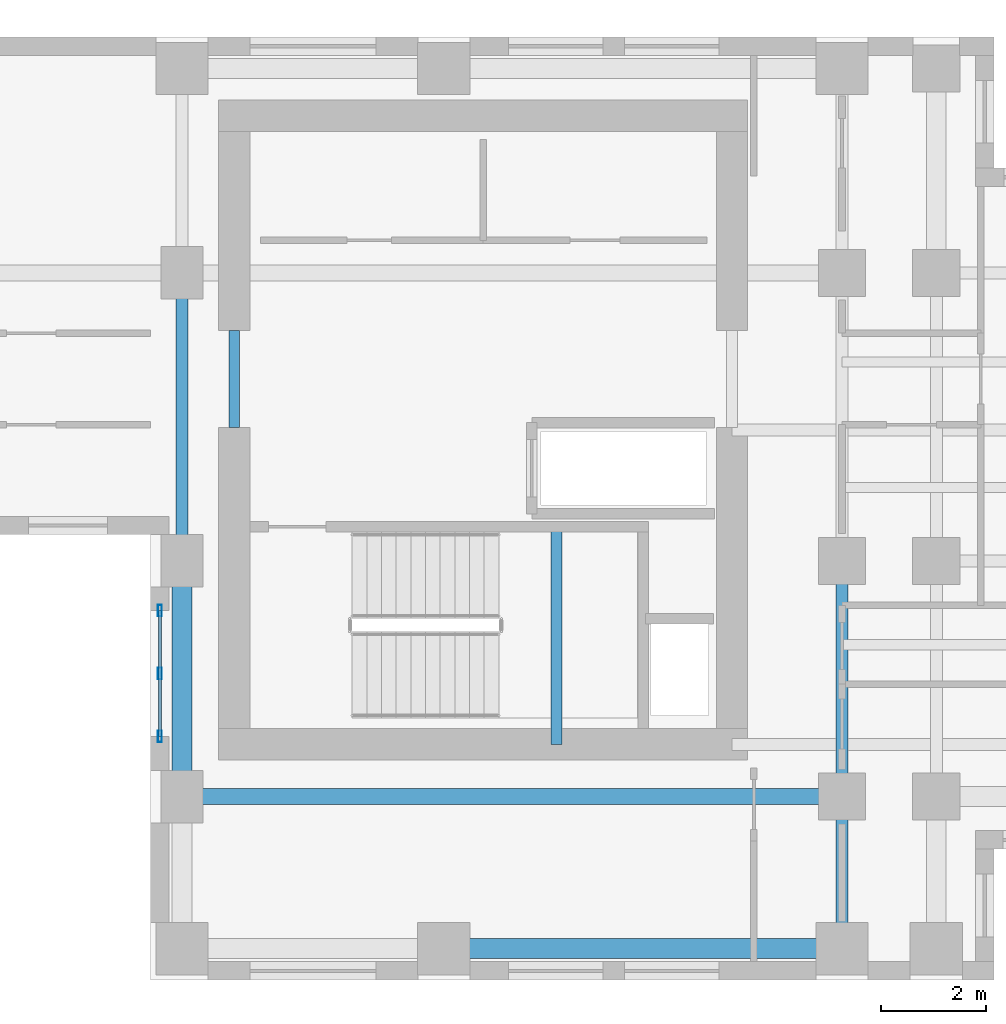
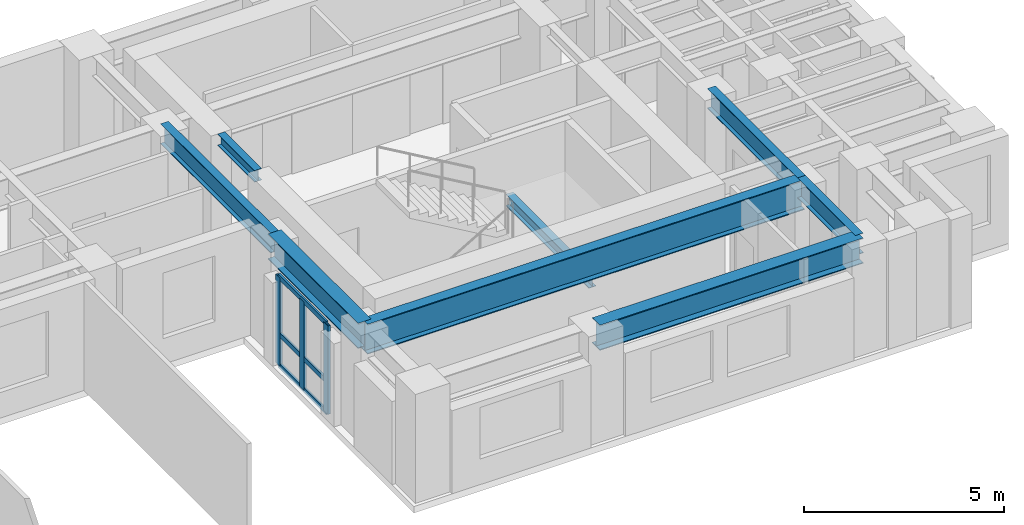
# One storey, part 2 of 12: 8 beams, 6 members, 1 element without a shape of its own.
"""IFC4 building model written with IfcOpenShell, lengths in metres."""

from ifc_helpers import new_model, si_unit, direction, frame, origin, origin_2d, place, context, subcontext, project, spatial, hollow_rectangle, i_section, extrude, source, transform, mapped, material, layer, layer_set, material_profile, profile_set, type_object, element, aggregate, save


model = new_model("IFC4")

# Units and contexts
model_context = context("Model", 3, precision=1e-05, world=origin(), true_north=direction((0.0, 1.0)))
body_context = subcontext(model_context, "Body", "Model", "MODEL_VIEW")
ifc_project = project(units=[si_unit("LENGTHUNIT", "METRE"), si_unit("AREAUNIT", "SQUARE_METRE"), si_unit("VOLUMEUNIT", "CUBIC_METRE"), si_unit("PLANEANGLEUNIT", "RADIAN"), si_unit("MASSUNIT", "GRAM", prefix="KILO")], contexts=[model_context])

# Site, building, storey
site_placement = place(None, origin())
site = spatial("IfcSite", under=ifc_project, at=site_placement, CompositionType="ELEMENT")
building_placement = place(site_placement, origin())
building = spatial("IfcBuilding", under=site, at=building_placement, Name="Kharzan Plaza Tower", CompositionType="ELEMENT")
storey_placement = place(building_placement, frame((0.0, 0.0, 204.300048828125)))
storey = spatial("IfcBuildingStorey", under=building, at=storey_placement, Name="L55", CompositionType="ELEMENT", Elevation=204.300048828125)

# Beams
ifc_material_1 = material(Name="Steel S355", Category="steel")
ifc_material_profile_1 = material_profile(ifc_material_1, i_section(OverallWidth=0.205078125, OverallDepth=0.35400390625, WebThickness=0.009521484375, FlangeThickness=0.016845703125, at=origin_2d()), Name="W360x79")
ifc_profile_set_1 = profile_set([ifc_material_profile_1], Name="Steel S355")
beam_type_1 = type_object("IfcBeamType", Name="BM-LNT360", PredefinedType="LINTEL", material=ifc_profile_set_1)
shared_shape_1 = source(origin(), body_context, "Body", "SweptSolid", [
    extrude(i_section(OverallWidth=0.205078125, OverallDepth=0.35400390625, WebThickness=0.009521484375, FlangeThickness=0.016845703125, at=origin_2d()), origin(), (0.0, 0.0, 1.0), 1.849853515625),
])
beam_1_placement = place(storey_placement, frame((36.0, 10.550048828125, 3.14306640625), z_axis=(0.0, 1.0, 0.0), x_axis=(-1.0, 0.0, 0.0)))
element("IfcBeam", 1, at=beam_1_placement, inside=storey, type_object=beam_type_1, Name="L55 CORE-B coupling lintel LN1-WW", PredefinedType="LINTEL", context=body_context, shape_type="MappedRepresentation", body=[
    mapped(shared_shape_1, transform((0.0, 0.0, 0.0), x_axis=(1.0, 0.0, 0.0), y_axis=(0.0, 1.0, 0.0), z_axis=(0.0, 0.0, 1.0))),
])
shared_shape_2 = source(origin(), body_context, "Body", "SweptSolid", [
    extrude(i_section(OverallWidth=0.205078125, OverallDepth=0.35400390625, WebThickness=0.009521484375, FlangeThickness=0.016845703125, at=origin_2d()), origin(), (0.0, 0.0, 1.0), 4.155029296875),
])
beam_2_placement = place(storey_placement, frame((42.14990234375, 4.5, 1.4228515625), z_axis=(0.0, 1.0, 0.0), x_axis=(-1.0, 0.0, 0.0)))
element("IfcBeam", 2, at=beam_2_placement, inside=storey, type_object=beam_type_1, Name="L55 Stair ST-3 Half-Landing Beam", PredefinedType="LINTEL", context=body_context, shape_type="MappedRepresentation", body=[
    mapped(shared_shape_2, transform((0.0, 0.0, 0.0), x_axis=(1.0, 0.0, 0.0), y_axis=(0.0, 1.0, 0.0), z_axis=(0.0, 0.0, 1.0))),
])
ifc_material_profile_2 = material_profile(ifc_material_1, i_section(OverallWidth=0.304931640625, OverallDepth=0.9189453125, WebThickness=0.017333984375, FlangeThickness=0.02783203125, at=origin_2d()), Name="W920x253")
ifc_profile_set_2 = profile_set([ifc_material_profile_2], Name="Steel S355")
beam_type_2 = type_object("IfcBeamType", Name="BM-FG920B", PredefinedType="BEAM", material=ifc_profile_set_2)
shared_shape_3 = source(origin(), body_context, "Body", "SweptSolid", [
    extrude(i_section(OverallWidth=0.304931640625, OverallDepth=0.9189453125, WebThickness=0.017333984375, FlangeThickness=0.02783203125, at=origin_2d()), origin(), (0.0, 0.0, 1.0), 12.60009765625),
])
beam_3_placement = place(storey_placement, frame((35.0, 3.5, 2.8603515625), z_axis=(1.0, 0.0, 0.0), x_axis=(0.0, 1.0, 0.0)))
element("IfcBeam", 3, at=beam_3_placement, inside=storey, type_object=beam_type_2, Name="L55 Primary Floor Girder", PredefinedType="BEAM", context=body_context, shape_type="MappedRepresentation", body=[
    mapped(shared_shape_3, transform((0.0, 0.0, 0.0), x_axis=(1.0, 0.0, 0.0), y_axis=(0.0, 1.0, 0.0), z_axis=(0.0, 0.0, 1.0))),
])

# Curtain wall, members
ifc_material_2 = material(Name="Unitised Bronze-Anodized Aluminium and Low-E Glass", Category="aluminium")
ifc_layer = layer(ifc_material_2, 0.199951171875)
ifc_layer_set = layer_set([ifc_layer], Name="Unitised Bronze-Anodized Aluminium and Low-E Glass")
curtain_wall_type = type_object("IfcCurtainWallType", Name="CW-SLOT-3", PredefinedType="NOTDEFINED", material=ifc_layer_set)
curtain_wall_placement = place(storey_placement, origin())
curtain_wall = element("IfcCurtainWall", 4, at=curtain_wall_placement, inside=storey, type_object=curtain_wall_type, Name="L55 East Slot Recessed Spine Curtain Wall", PredefinedType="NOTDEFINED")
ifc_material_3 = material(Name="Anodized Bronze Aluminium", Category="aluminium")
ifc_material_profile_3 = material_profile(ifc_material_3, hollow_rectangle(XDim=0.074951171875, YDim=0.219970703125, WallThickness=0.00390625, at=origin_2d()), Name="ALU-M220x75x4")
ifc_profile_set_3 = profile_set([ifc_material_profile_3], Name="Anodized Bronze Aluminium")
member_type_1 = type_object("IfcMemberType", Name="MEM-CW-MUL200", PredefinedType="MULLION", material=ifc_profile_set_3)
shared_shape_4 = source(origin(), body_context, "Body", "SweptSolid", [
    extrude(hollow_rectangle(XDim=0.074951171875, YDim=0.219970703125, WallThickness=0.00390625, at=origin_2d()), origin(), (0.0, 0.0, 1.0), 2.699951171875),
])
member_1_placement = place(storey_placement, frame((34.580078125, 4.64990234375, 0.0), z_axis=(0.0, 0.0, 1.0), x_axis=(1.0, 0.0, 0.0)))
member_1 = element("IfcMember", 5, at=member_1_placement, type_object=member_type_1, Name="L55 Curtain-Wall Mullion 00", PredefinedType="MULLION", context=body_context, shape_type="MappedRepresentation", body=[
    mapped(shared_shape_4, transform((0.0, 0.0, 0.0), x_axis=(1.0, 0.0, 0.0), y_axis=(0.0, 1.0, 0.0), z_axis=(0.0, 0.0, 1.0))),
])
member_2_placement = place(storey_placement, frame((34.580078125, 5.85009765625, 0.0), z_axis=(0.0, 0.0, 1.0), x_axis=(1.0, 0.0, 0.0)))
member_2 = element("IfcMember", 6, at=member_2_placement, type_object=member_type_1, Name="L55 Curtain-Wall Mullion 01", PredefinedType="MULLION", context=body_context, shape_type="MappedRepresentation", body=[
    mapped(shared_shape_4, transform((0.0, 0.0, 0.0), x_axis=(1.0, 0.0, 0.0), y_axis=(0.0, 1.0, 0.0), z_axis=(0.0, 0.0, 1.0))),
])
member_3_placement = place(storey_placement, frame((34.580078125, 7.050048828125, 0.0), z_axis=(0.0, 0.0, 1.0), x_axis=(1.0, 0.0, 0.0)))
member_3 = element("IfcMember", 7, at=member_3_placement, type_object=member_type_1, Name="L55 Curtain-Wall Mullion 02", PredefinedType="MULLION", context=body_context, shape_type="MappedRepresentation", body=[
    mapped(shared_shape_4, transform((0.0, 0.0, 0.0), x_axis=(1.0, 0.0, 0.0), y_axis=(0.0, 1.0, 0.0), z_axis=(0.0, 0.0, 1.0))),
])
ifc_material_profile_4 = material_profile(ifc_material_3, hollow_rectangle(XDim=0.06005859375, YDim=0.14990234375, WallThickness=0.00341796875, at=origin_2d()), Name="ALU-T150x60x3.5")
ifc_profile_set_4 = profile_set([ifc_material_profile_4], Name="Anodized Bronze Aluminium")
member_type_2 = type_object("IfcMemberType", Name="MEM-CW-TRN150", PredefinedType="USERDEFINED", material=ifc_profile_set_4)
shared_shape_5 = source(origin(), body_context, "Body", "SweptSolid", [
    extrude(hollow_rectangle(XDim=0.06005859375, YDim=0.14990234375, WallThickness=0.00341796875, at=origin_2d()), origin(), (0.0, 0.0, 1.0), 2.400146484375),
])
member_4_placement = place(storey_placement, frame((34.580078125, 4.64990234375, 0.0), z_axis=(0.0, 1.0, 0.0), x_axis=(-1.0, 0.0, 0.0)))
member_4 = element("IfcMember", 8, at=member_4_placement, type_object=member_type_2, Name="L55 Curtain-Wall Transom 1", ObjectType="TRANSOM", PredefinedType="USERDEFINED", context=body_context, shape_type="MappedRepresentation", body=[
    mapped(shared_shape_5, transform((0.0, 0.0, 0.0), x_axis=(1.0, 0.0, 0.0), y_axis=(0.0, 1.0, 0.0), z_axis=(0.0, 0.0, 1.0))),
])
member_5_placement = place(storey_placement, frame((34.580078125, 4.64990234375, 0.949951171875), z_axis=(0.0, 1.0, 0.0), x_axis=(-1.0, 0.0, 0.0)))
member_5 = element("IfcMember", 9, at=member_5_placement, type_object=member_type_2, Name="L55 Curtain-Wall Transom 2", ObjectType="TRANSOM", PredefinedType="USERDEFINED", context=body_context, shape_type="MappedRepresentation", body=[
    mapped(shared_shape_5, transform((0.0, 0.0, 0.0), x_axis=(1.0, 0.0, 0.0), y_axis=(0.0, 1.0, 0.0), z_axis=(0.0, 0.0, 1.0))),
])
member_6_placement = place(storey_placement, frame((34.580078125, 4.64990234375, 2.699951171875), z_axis=(0.0, 1.0, 0.0), x_axis=(-1.0, 0.0, 0.0)))
member_6 = element("IfcMember", 10, at=member_6_placement, type_object=member_type_2, Name="L55 Curtain-Wall Transom 3", ObjectType="TRANSOM", PredefinedType="USERDEFINED", context=body_context, shape_type="MappedRepresentation", body=[
    mapped(shared_shape_5, transform((0.0, 0.0, 0.0), x_axis=(1.0, 0.0, 0.0), y_axis=(0.0, 1.0, 0.0), z_axis=(0.0, 0.0, 1.0))),
])
aggregate(curtain_wall, [member_1, member_2, member_3, member_4, member_5, member_6])

# Beams
ifc_material_profile_5 = material_profile(ifc_material_1, i_section(OverallWidth=0.22900390625, OverallDepth=0.612060546875, WebThickness=0.011962890625, FlangeThickness=0.01953125, at=origin_2d()), Name="W610x125")
ifc_profile_set_5 = profile_set([ifc_material_profile_5], Name="Steel S355")
beam_type_3 = type_object("IfcBeamType", Name="BM-FG610B", PredefinedType="BEAM", material=ifc_profile_set_5)
shared_shape_6 = source(origin(), body_context, "Body", "SweptSolid", [
    extrude(i_section(OverallWidth=0.22900390625, OverallDepth=0.612060546875, WebThickness=0.011962890625, FlangeThickness=0.01953125, at=origin_2d()), origin(), (0.0, 0.0, 1.0), 4.5),
])
beam_4_placement = place(storey_placement, frame((47.60009765625, 3.5, 3.013916015625), z_axis=(0.0, 1.0, 0.0), x_axis=(-1.0, 0.0, 0.0)))
element("IfcBeam", 11, at=beam_4_placement, inside=storey, type_object=beam_type_3, Name="L55 Interior Frame Girder", PredefinedType="BEAM", context=body_context, shape_type="MappedRepresentation", body=[
    mapped(shared_shape_6, transform((0.0, 0.0, 0.0), x_axis=(1.0, 0.0, 0.0), y_axis=(0.0, 1.0, 0.0), z_axis=(0.0, 0.0, 1.0))),
])
shared_shape_7 = source(origin(), body_context, "Body", "SweptSolid", [
    extrude(i_section(OverallWidth=0.22900390625, OverallDepth=0.612060546875, WebThickness=0.011962890625, FlangeThickness=0.01953125, at=origin_2d()), origin(), (0.0, 0.0, 1.0), 5.5),
])
beam_5_placement = place(storey_placement, frame((35.0, 8.0, 3.013916015625), z_axis=(0.0, 1.0, 0.0), x_axis=(-1.0, 0.0, 0.0)))
element("IfcBeam", 12, at=beam_5_placement, inside=storey, type_object=beam_type_3, Name="L55 Interior Frame Girder", PredefinedType="BEAM", context=body_context, shape_type="MappedRepresentation", body=[
    mapped(shared_shape_7, transform((0.0, 0.0, 0.0), x_axis=(1.0, 0.0, 0.0), y_axis=(0.0, 1.0, 0.0), z_axis=(0.0, 0.0, 1.0))),
])
shared_shape_8 = source(origin(), body_context, "Body", "SweptSolid", [
    extrude(i_section(OverallWidth=0.22900390625, OverallDepth=0.612060546875, WebThickness=0.011962890625, FlangeThickness=0.01953125, at=origin_2d()), origin(), (0.0, 0.0, 1.0), 2.89990234375),
])
beam_6_placement = place(storey_placement, frame((47.60009765625, 0.60009765625, 3.013916015625), z_axis=(0.0, 1.0, 0.0), x_axis=(-1.0, 0.0, 0.0)))
element("IfcBeam", 13, at=beam_6_placement, inside=storey, type_object=beam_type_3, Name="L55 Interior Frame Girder", PredefinedType="BEAM", context=body_context, shape_type="MappedRepresentation", body=[
    mapped(shared_shape_8, transform((0.0, 0.0, 0.0), x_axis=(1.0, 0.0, 0.0), y_axis=(0.0, 1.0, 0.0), z_axis=(0.0, 0.0, 1.0))),
])
ifc_material_profile_6 = material_profile(ifc_material_1, i_section(OverallWidth=0.381103515625, OverallDepth=0.77294921875, WebThickness=0.0166015625, FlangeThickness=0.027587890625, at=origin_2d()), Name="W760x257")
ifc_profile_set_6 = profile_set([ifc_material_profile_6], Name="Steel S355")
beam_type_4 = type_object("IfcBeamType", Name="BM-SP760A", PredefinedType="SPANDREL", material=ifc_profile_set_6)
shared_shape_9 = source(origin(), body_context, "Body", "SweptSolid", [
    extrude(i_section(OverallWidth=0.381103515625, OverallDepth=0.77294921875, WebThickness=0.0166015625, FlangeThickness=0.027587890625, at=origin_2d()), origin(), (0.0, 0.0, 1.0), 4.5),
])
beam_7_placement = place(storey_placement, frame((35.0, 3.5, 2.933349609375), z_axis=(0.0, 1.0, 0.0), x_axis=(-1.0, 0.0, 0.0)))
element("IfcBeam", 14, at=beam_7_placement, inside=storey, type_object=beam_type_4, Name="L55 Perimeter Tube Spandrel", PredefinedType="SPANDREL", context=body_context, shape_type="MappedRepresentation", body=[
    mapped(shared_shape_9, transform((0.0, 0.0, 0.0), x_axis=(1.0, 0.0, 0.0), y_axis=(0.0, 1.0, 0.0), z_axis=(0.0, 0.0, 1.0))),
])
shared_shape_10 = source(origin(), body_context, "Body", "SweptSolid", [
    extrude(i_section(OverallWidth=0.381103515625, OverallDepth=0.77294921875, WebThickness=0.0166015625, FlangeThickness=0.027587890625, at=origin_2d()), origin(), (0.0, 0.0, 1.0), 7.60009765625),
])
beam_8_placement = place(storey_placement, frame((40.0, 0.60009765625, 2.933349609375), z_axis=(1.0, 0.0, 0.0), x_axis=(0.0, 1.0, 0.0)))
element("IfcBeam", 15, at=beam_8_placement, inside=storey, type_object=beam_type_4, Name="L55 Perimeter Tube Spandrel", PredefinedType="SPANDREL", context=body_context, shape_type="MappedRepresentation", body=[
    mapped(shared_shape_10, transform((0.0, 0.0, 0.0), x_axis=(1.0, 0.0, 0.0), y_axis=(0.0, 1.0, 0.0), z_axis=(0.0, 0.0, 1.0))),
])

save(model, "model.ifc")
